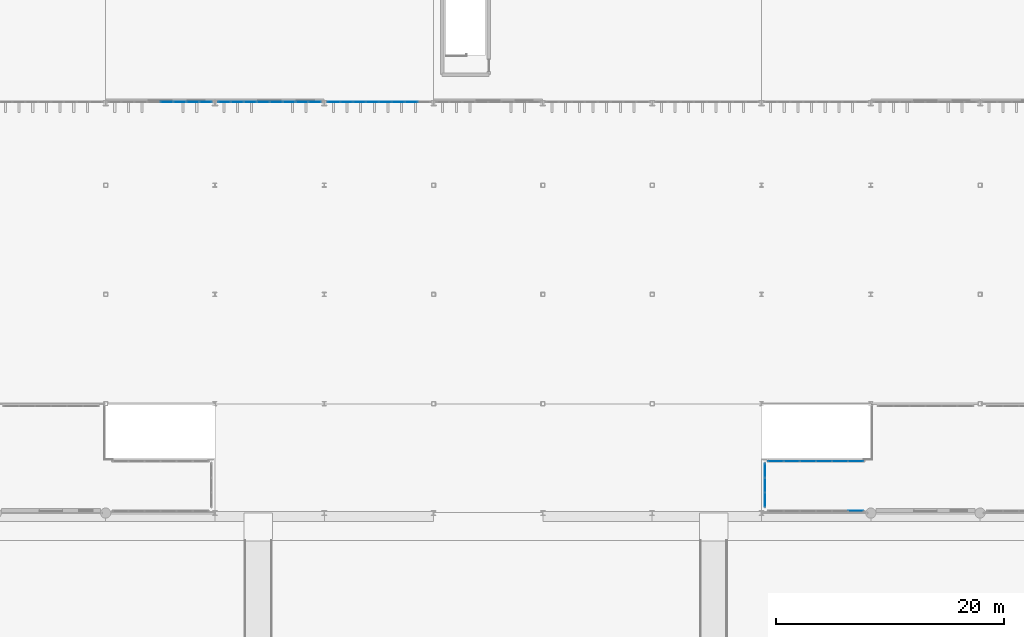
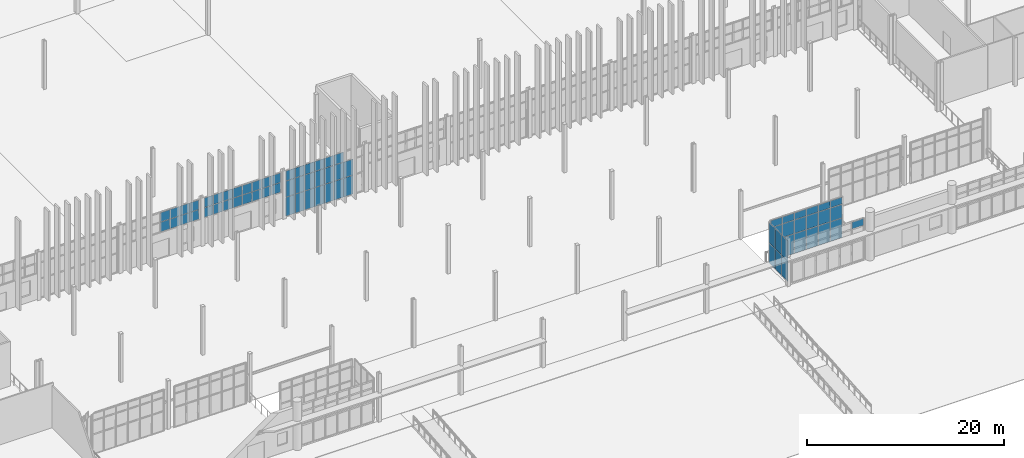
# One storey, part 72 of 139: 69 plates, 6 elements without a shape of their own.
"""IFC4 building model written with IfcOpenShell, lengths in metres."""

from ifc_helpers import new_model, si_unit, direction, frame, origin, origin_2d, place, context, subcontext, project, spatial, rectangle, extrude, material, layer, layer_set, type_object, element, aggregate, save


model = new_model("IFC4")

# Units and contexts
model_context = context("Model", 3, precision=1e-05, world=origin(), true_north=direction((0.0, 1.0)))
body_context = subcontext(model_context, "Body", "Model", "MODEL_VIEW")
ifc_project = project(units=[si_unit("LENGTHUNIT", "METRE"), si_unit("AREAUNIT", "SQUARE_METRE"), si_unit("VOLUMEUNIT", "CUBIC_METRE"), si_unit("PLANEANGLEUNIT", "RADIAN"), si_unit("MASSUNIT", "GRAM", prefix="KILO")], contexts=[model_context])

# Site, building, storey
site_placement = place(None, origin())
site = spatial("IfcSite", under=ifc_project, at=site_placement, CompositionType="ELEMENT")
building_placement = place(site_placement, origin())
building = spatial("IfcBuilding", under=site, at=building_placement, Name="Yeouljin Market Hall", CompositionType="ELEMENT")
storey_placement = place(building_placement, origin())
storey = spatial("IfcBuildingStorey", under=building, at=storey_placement, Name="L00", CompositionType="ELEMENT", Elevation=0.0)

# Curtain wall, plates
ifc_material_1 = material(Name="Thermally Broken Aluminium", Category="aluminium")
ifc_layer_1 = layer(ifc_material_1, 0.179931640625)
ifc_layer_set_1 = layer_set([ifc_layer_1], Name="Thermally Broken Aluminium")
curtain_wall_type_1 = type_object("IfcCurtainWallType", Name="CW_HallNave_System", PredefinedType="USERDEFINED", material=ifc_layer_set_1)
curtain_wall_1_placement = place(storey_placement, origin())
curtain_wall_1 = element("IfcCurtainWall", 1, at=curtain_wall_1_placement, inside=storey, type_object=curtain_wall_type_1, Name="Curtain wall CW-V1S-L00-03", ObjectType="CURTAIN WALL", PredefinedType="USERDEFINED")
ifc_material_2 = material(Name="Low-E Insulated Glass", Category="glass")
ifc_layer_2 = layer(ifc_material_2, 0.028076171875)
ifc_layer_set_2 = layer_set([ifc_layer_2], Name="Low-E Insulated Glass")
plate_type_1 = type_object("IfcPlateType", Name="CWPanel_LowE_28", PredefinedType="CURTAIN_PANEL", material=ifc_layer_set_2)
plate_1_placement = place(storey_placement, frame((63.369140625, 36.10009765625, 3.248046875), z_axis=(0.0, 0.0, 1.0), x_axis=(-1.0, 0.0, 0.0)))
plate_1 = element("IfcPlate", 2, at=plate_1_placement, type_object=plate_type_1, Name="CW-01 panel 1.1", PredefinedType="CURTAIN_PANEL", context=body_context, shape_type="SweptSolid", body=[
    extrude(rectangle(XDim=1.0654296875, YDim=0.028076171875, at=origin_2d()), origin(), (0.0, 0.0, 1.0), 1.177978515625),
])
plate_2_placement = place(storey_placement, frame((63.369140625, 36.10009765625, 4.47412109375), z_axis=(0.0, 0.0, 1.0), x_axis=(-1.0, 0.0, 0.0)))
plate_2 = element("IfcPlate", 3, at=plate_2_placement, type_object=plate_type_1, Name="CW-01 panel 1.2", PredefinedType="CURTAIN_PANEL", context=body_context, shape_type="SweptSolid", body=[
    extrude(rectangle(XDim=1.0654296875, YDim=0.028076171875, at=origin_2d()), origin(), (0.0, 0.0, 1.0), 1.157958984375),
])
plate_3_placement = place(storey_placement, frame((62.24365234375, 36.10009765625, 3.248046875), z_axis=(0.0, 0.0, 1.0), x_axis=(-1.0, 0.0, 0.0)))
plate_3 = element("IfcPlate", 4, at=plate_3_placement, type_object=plate_type_1, Name="CW-01 panel 2.1", PredefinedType="CURTAIN_PANEL", context=body_context, shape_type="SweptSolid", body=[
    extrude(rectangle(XDim=1.089599609375, YDim=0.028076171875, at=origin_2d()), origin(), (0.0, 0.0, 1.0), 1.177978515625),
])
plate_4_placement = place(storey_placement, frame((62.24365234375, 36.10009765625, 4.47412109375), z_axis=(0.0, 0.0, 1.0), x_axis=(-1.0, 0.0, 0.0)))
plate_4 = element("IfcPlate", 5, at=plate_4_placement, type_object=plate_type_1, Name="CW-01 panel 2.2", PredefinedType="CURTAIN_PANEL", context=body_context, shape_type="SweptSolid", body=[
    extrude(rectangle(XDim=1.089599609375, YDim=0.028076171875, at=origin_2d()), origin(), (0.0, 0.0, 1.0), 1.157958984375),
])
plate_5_placement = place(storey_placement, frame((61.106201171875, 36.10009765625, 3.248046875), z_axis=(0.0, 0.0, 1.0), x_axis=(-1.0, 0.0, 0.0)))
plate_5 = element("IfcPlate", 6, at=plate_5_placement, type_object=plate_type_1, Name="CW-01 panel 3.1", PredefinedType="CURTAIN_PANEL", context=body_context, shape_type="SweptSolid", body=[
    extrude(rectangle(XDim=1.089599609375, YDim=0.028076171875, at=origin_2d()), origin(), (0.0, 0.0, 1.0), 1.177978515625),
])
plate_6_placement = place(storey_placement, frame((61.106201171875, 36.10009765625, 4.47412109375), z_axis=(0.0, 0.0, 1.0), x_axis=(-1.0, 0.0, 0.0)))
plate_6 = element("IfcPlate", 7, at=plate_6_placement, type_object=plate_type_1, Name="CW-01 panel 3.2", PredefinedType="CURTAIN_PANEL", context=body_context, shape_type="SweptSolid", body=[
    extrude(rectangle(XDim=1.089599609375, YDim=0.028076171875, at=origin_2d()), origin(), (0.0, 0.0, 1.0), 1.157958984375),
])
plate_7_placement = place(storey_placement, frame((59.96875, 36.10009765625, 3.248046875), z_axis=(0.0, 0.0, 1.0), x_axis=(-1.0, 0.0, 0.0)))
plate_7 = element("IfcPlate", 8, at=plate_7_placement, type_object=plate_type_1, Name="CW-01 panel 4.1", PredefinedType="CURTAIN_PANEL", context=body_context, shape_type="SweptSolid", body=[
    extrude(rectangle(XDim=1.089599609375, YDim=0.028076171875, at=origin_2d()), origin(), (0.0, 0.0, 1.0), 1.177978515625),
])
plate_8_placement = place(storey_placement, frame((59.96875, 36.10009765625, 4.47412109375), z_axis=(0.0, 0.0, 1.0), x_axis=(-1.0, 0.0, 0.0)))
plate_8 = element("IfcPlate", 9, at=plate_8_placement, type_object=plate_type_1, Name="CW-01 panel 4.2", PredefinedType="CURTAIN_PANEL", context=body_context, shape_type="SweptSolid", body=[
    extrude(rectangle(XDim=1.089599609375, YDim=0.028076171875, at=origin_2d()), origin(), (0.0, 0.0, 1.0), 1.157958984375),
])
aggregate(curtain_wall_1, [plate_1, plate_2, plate_3, plate_4, plate_5, plate_6, plate_7, plate_8])

curtain_wall_2_placement = place(storey_placement, origin())
curtain_wall_2 = element("IfcCurtainWall", 10, at=curtain_wall_2_placement, inside=storey, type_object=curtain_wall_type_1, Name="Curtain wall CW-V1S-L00-04", ObjectType="CURTAIN WALL", PredefinedType="USERDEFINED")
plate_9_placement = place(storey_placement, frame((72.96923828125, 36.10009765625, 3.248046875), z_axis=(0.0, 0.0, 1.0), x_axis=(-1.0, 0.0, 0.0)))
plate_9 = element("IfcPlate", 11, at=plate_9_placement, type_object=plate_type_1, Name="CW-01 panel 1.1", PredefinedType="CURTAIN_PANEL", context=body_context, shape_type="SweptSolid", body=[
    extrude(rectangle(XDim=1.0654296875, YDim=0.028076171875, at=origin_2d()), origin(), (0.0, 0.0, 1.0), 1.177978515625),
])
plate_10_placement = place(storey_placement, frame((72.96923828125, 36.10009765625, 4.47412109375), z_axis=(0.0, 0.0, 1.0), x_axis=(-1.0, 0.0, 0.0)))
plate_10 = element("IfcPlate", 12, at=plate_10_placement, type_object=plate_type_1, Name="CW-01 panel 1.2", PredefinedType="CURTAIN_PANEL", context=body_context, shape_type="SweptSolid", body=[
    extrude(rectangle(XDim=1.0654296875, YDim=0.028076171875, at=origin_2d()), origin(), (0.0, 0.0, 1.0), 1.157958984375),
])
plate_11_placement = place(storey_placement, frame((71.84375, 36.10009765625, 3.248046875), z_axis=(0.0, 0.0, 1.0), x_axis=(-1.0, 0.0, 0.0)))
plate_11 = element("IfcPlate", 13, at=plate_11_placement, type_object=plate_type_1, Name="CW-01 panel 2.1", PredefinedType="CURTAIN_PANEL", context=body_context, shape_type="SweptSolid", body=[
    extrude(rectangle(XDim=1.089599609375, YDim=0.028076171875, at=origin_2d()), origin(), (0.0, 0.0, 1.0), 1.177978515625),
])
plate_12_placement = place(storey_placement, frame((71.84375, 36.10009765625, 4.47412109375), z_axis=(0.0, 0.0, 1.0), x_axis=(-1.0, 0.0, 0.0)))
plate_12 = element("IfcPlate", 14, at=plate_12_placement, type_object=plate_type_1, Name="CW-01 panel 2.2", PredefinedType="CURTAIN_PANEL", context=body_context, shape_type="SweptSolid", body=[
    extrude(rectangle(XDim=1.089599609375, YDim=0.028076171875, at=origin_2d()), origin(), (0.0, 0.0, 1.0), 1.157958984375),
])
plate_13_placement = place(storey_placement, frame((70.706298828125, 36.10009765625, 3.248046875), z_axis=(0.0, 0.0, 1.0), x_axis=(-1.0, 0.0, 0.0)))
plate_13 = element("IfcPlate", 15, at=plate_13_placement, type_object=plate_type_1, Name="CW-01 panel 3.1", PredefinedType="CURTAIN_PANEL", context=body_context, shape_type="SweptSolid", body=[
    extrude(rectangle(XDim=1.089599609375, YDim=0.028076171875, at=origin_2d()), origin(), (0.0, 0.0, 1.0), 1.177978515625),
])
plate_14_placement = place(storey_placement, frame((70.706298828125, 36.10009765625, 4.47412109375), z_axis=(0.0, 0.0, 1.0), x_axis=(-1.0, 0.0, 0.0)))
plate_14 = element("IfcPlate", 16, at=plate_14_placement, type_object=plate_type_1, Name="CW-01 panel 3.2", PredefinedType="CURTAIN_PANEL", context=body_context, shape_type="SweptSolid", body=[
    extrude(rectangle(XDim=1.089599609375, YDim=0.028076171875, at=origin_2d()), origin(), (0.0, 0.0, 1.0), 1.157958984375),
])
plate_15_placement = place(storey_placement, frame((69.56884765625, 36.10009765625, 3.248046875), z_axis=(0.0, 0.0, 1.0), x_axis=(-1.0, 0.0, 0.0)))
plate_15 = element("IfcPlate", 17, at=plate_15_placement, type_object=plate_type_1, Name="CW-01 panel 4.1", PredefinedType="CURTAIN_PANEL", context=body_context, shape_type="SweptSolid", body=[
    extrude(rectangle(XDim=1.089599609375, YDim=0.028076171875, at=origin_2d()), origin(), (0.0, 0.0, 1.0), 1.177978515625),
])
plate_16_placement = place(storey_placement, frame((69.56884765625, 36.10009765625, 4.47412109375), z_axis=(0.0, 0.0, 1.0), x_axis=(-1.0, 0.0, 0.0)))
plate_16 = element("IfcPlate", 18, at=plate_16_placement, type_object=plate_type_1, Name="CW-01 panel 4.2", PredefinedType="CURTAIN_PANEL", context=body_context, shape_type="SweptSolid", body=[
    extrude(rectangle(XDim=1.089599609375, YDim=0.028076171875, at=origin_2d()), origin(), (0.0, 0.0, 1.0), 1.157958984375),
])
plate_17_placement = place(storey_placement, frame((68.43115234375, 36.10009765625, 3.248046875), z_axis=(0.0, 0.0, 1.0), x_axis=(-1.0, 0.0, 0.0)))
plate_17 = element("IfcPlate", 19, at=plate_17_placement, type_object=plate_type_1, Name="CW-01 panel 5.1", PredefinedType="CURTAIN_PANEL", context=body_context, shape_type="SweptSolid", body=[
    extrude(rectangle(XDim=1.089599609375, YDim=0.028076171875, at=origin_2d()), origin(), (0.0, 0.0, 1.0), 1.177978515625),
])
plate_18_placement = place(storey_placement, frame((68.43115234375, 36.10009765625, 4.47412109375), z_axis=(0.0, 0.0, 1.0), x_axis=(-1.0, 0.0, 0.0)))
plate_18 = element("IfcPlate", 20, at=plate_18_placement, type_object=plate_type_1, Name="CW-01 panel 5.2", PredefinedType="CURTAIN_PANEL", context=body_context, shape_type="SweptSolid", body=[
    extrude(rectangle(XDim=1.089599609375, YDim=0.028076171875, at=origin_2d()), origin(), (0.0, 0.0, 1.0), 1.157958984375),
])
plate_19_placement = place(storey_placement, frame((67.293701171875, 36.10009765625, 3.248046875), z_axis=(0.0, 0.0, 1.0), x_axis=(-1.0, 0.0, 0.0)))
plate_19 = element("IfcPlate", 21, at=plate_19_placement, type_object=plate_type_1, Name="CW-01 panel 6.1", PredefinedType="CURTAIN_PANEL", context=body_context, shape_type="SweptSolid", body=[
    extrude(rectangle(XDim=1.089599609375, YDim=0.028076171875, at=origin_2d()), origin(), (0.0, 0.0, 1.0), 1.177978515625),
])
plate_20_placement = place(storey_placement, frame((67.293701171875, 36.10009765625, 4.47412109375), z_axis=(0.0, 0.0, 1.0), x_axis=(-1.0, 0.0, 0.0)))
plate_20 = element("IfcPlate", 22, at=plate_20_placement, type_object=plate_type_1, Name="CW-01 panel 6.2", PredefinedType="CURTAIN_PANEL", context=body_context, shape_type="SweptSolid", body=[
    extrude(rectangle(XDim=1.089599609375, YDim=0.028076171875, at=origin_2d()), origin(), (0.0, 0.0, 1.0), 1.157958984375),
])
plate_21_placement = place(storey_placement, frame((66.15625, 36.10009765625, 3.248046875), z_axis=(0.0, 0.0, 1.0), x_axis=(-1.0, 0.0, 0.0)))
plate_21 = element("IfcPlate", 23, at=plate_21_placement, type_object=plate_type_1, Name="CW-01 panel 7.1", PredefinedType="CURTAIN_PANEL", context=body_context, shape_type="SweptSolid", body=[
    extrude(rectangle(XDim=1.089599609375, YDim=0.028076171875, at=origin_2d()), origin(), (0.0, 0.0, 1.0), 1.177978515625),
])
plate_22_placement = place(storey_placement, frame((66.15625, 36.10009765625, 4.47412109375), z_axis=(0.0, 0.0, 1.0), x_axis=(-1.0, 0.0, 0.0)))
plate_22 = element("IfcPlate", 24, at=plate_22_placement, type_object=plate_type_1, Name="CW-01 panel 7.2", PredefinedType="CURTAIN_PANEL", context=body_context, shape_type="SweptSolid", body=[
    extrude(rectangle(XDim=1.089599609375, YDim=0.028076171875, at=origin_2d()), origin(), (0.0, 0.0, 1.0), 1.157958984375),
])
plate_23_placement = place(storey_placement, frame((65.03076171875, 36.10009765625, 3.248046875), z_axis=(0.0, 0.0, 1.0), x_axis=(-1.0, 0.0, 0.0)))
plate_23 = element("IfcPlate", 25, at=plate_23_placement, type_object=plate_type_1, Name="CW-01 panel 8.1", PredefinedType="CURTAIN_PANEL", context=body_context, shape_type="SweptSolid", body=[
    extrude(rectangle(XDim=1.0654296875, YDim=0.028076171875, at=origin_2d()), origin(), (0.0, 0.0, 1.0), 1.177978515625),
])
plate_24_placement = place(storey_placement, frame((65.03076171875, 36.10009765625, 4.47412109375), z_axis=(0.0, 0.0, 1.0), x_axis=(-1.0, 0.0, 0.0)))
plate_24 = element("IfcPlate", 26, at=plate_24_placement, type_object=plate_type_1, Name="CW-01 panel 8.2", PredefinedType="CURTAIN_PANEL", context=body_context, shape_type="SweptSolid", body=[
    extrude(rectangle(XDim=1.0654296875, YDim=0.028076171875, at=origin_2d()), origin(), (0.0, 0.0, 1.0), 1.157958984375),
])
aggregate(curtain_wall_2, [plate_9, plate_10, plate_11, plate_12, plate_13, plate_14, plate_15, plate_16, plate_17, plate_18, plate_19, plate_20, plate_21, plate_22, plate_23, plate_24])

# Curtain wall, plate
ifc_material_3 = material(Name="Thermally Broken Aluminium", Category="aluminium")
ifc_layer_3 = layer(ifc_material_3, 0.14990234375)
ifc_layer_set_3 = layer_set([ifc_layer_3], Name="Thermally Broken Aluminium")
curtain_wall_type_2 = type_object("IfcCurtainWallType", Name="CW_ColonnadeScreen_System", PredefinedType="USERDEFINED", material=ifc_layer_set_3)
curtain_wall_3_placement = place(storey_placement, origin())
curtain_wall_3 = element("IfcCurtainWall", 27, at=curtain_wall_3_placement, inside=storey, type_object=curtain_wall_type_2, Name="Curtain wall CW-V5S-L00-4", ObjectType="CURTAIN WALL", PredefinedType="USERDEFINED")
plate_25_placement = place(storey_placement, frame((120.48388671875, 0.199951171875, 4.22412109375), z_axis=(0.0, 0.0, 1.0), x_axis=(-1.0, 0.0, 0.0)))
plate_25 = element("IfcPlate", 28, at=plate_25_placement, type_object=plate_type_1, Name="CW-06 panel 1.3", PredefinedType="CURTAIN_PANEL", context=body_context, shape_type="SweptSolid", body=[
    extrude(rectangle(XDim=1.33642578125, YDim=0.028076171875, at=origin_2d()), origin(), (0.0, 0.0, 1.0), 0.847900390625),
])
aggregate(curtain_wall_3, [plate_25])

# Curtain wall, plates
curtain_wall_4_placement = place(storey_placement, origin())
curtain_wall_4 = element("IfcCurtainWall", 29, at=curtain_wall_4_placement, inside=storey, type_object=curtain_wall_type_2, Name="Curtain wall CW-V5N-L00-4", ObjectType="CURTAIN WALL", PredefinedType="USERDEFINED")
plate_26_placement = place(storey_placement, frame((113.466064453125, 4.550048828125, 0.0478515625), z_axis=(0.0, 0.0, 1.0), x_axis=(1.0, 0.0, 0.0)))
plate_26 = element("IfcPlate", 30, at=plate_26_placement, type_object=plate_type_1, Name="CW-06 panel 1.1", PredefinedType="CURTAIN_PANEL", context=body_context, shape_type="SweptSolid", body=[
    extrude(rectangle(XDim=1.33642578125, YDim=0.028076171875, at=origin_2d()), origin(), (0.0, 0.0, 1.0), 2.427978515625),
])
plate_27_placement = place(storey_placement, frame((113.466064453125, 4.550048828125, 2.52392578125), z_axis=(0.0, 0.0, 1.0), x_axis=(1.0, 0.0, 0.0)))
plate_27 = element("IfcPlate", 31, at=plate_27_placement, type_object=plate_type_1, Name="CW-06 panel 1.2", PredefinedType="CURTAIN_PANEL", context=body_context, shape_type="SweptSolid", body=[
    extrude(rectangle(XDim=1.33642578125, YDim=0.028076171875, at=origin_2d()), origin(), (0.0, 0.0, 1.0), 1.652099609375),
])
plate_28_placement = place(storey_placement, frame((113.466064453125, 4.550048828125, 4.22412109375), z_axis=(0.0, 0.0, 1.0), x_axis=(1.0, 0.0, 0.0)))
plate_28 = element("IfcPlate", 32, at=plate_28_placement, type_object=plate_type_1, Name="CW-06 panel 1.3", PredefinedType="CURTAIN_PANEL", context=body_context, shape_type="SweptSolid", body=[
    extrude(rectangle(XDim=1.33642578125, YDim=0.028076171875, at=origin_2d()), origin(), (0.0, 0.0, 1.0), 0.847900390625),
])
plate_29_placement = place(storey_placement, frame((114.862548828125, 4.550048828125, 0.0478515625), z_axis=(0.0, 0.0, 1.0), x_axis=(1.0, 0.0, 0.0)))
plate_29 = element("IfcPlate", 33, at=plate_29_placement, type_object=plate_type_1, Name="CW-06 panel 2.1", PredefinedType="CURTAIN_PANEL", context=body_context, shape_type="SweptSolid", body=[
    extrude(rectangle(XDim=1.3603515625, YDim=0.028076171875, at=origin_2d()), origin(), (0.0, 0.0, 1.0), 2.427978515625),
])
plate_30_placement = place(storey_placement, frame((114.862548828125, 4.550048828125, 2.52392578125), z_axis=(0.0, 0.0, 1.0), x_axis=(1.0, 0.0, 0.0)))
plate_30 = element("IfcPlate", 34, at=plate_30_placement, type_object=plate_type_1, Name="CW-06 panel 2.2", PredefinedType="CURTAIN_PANEL", context=body_context, shape_type="SweptSolid", body=[
    extrude(rectangle(XDim=1.3603515625, YDim=0.028076171875, at=origin_2d()), origin(), (0.0, 0.0, 1.0), 1.652099609375),
])
plate_31_placement = place(storey_placement, frame((114.862548828125, 4.550048828125, 4.22412109375), z_axis=(0.0, 0.0, 1.0), x_axis=(1.0, 0.0, 0.0)))
plate_31 = element("IfcPlate", 35, at=plate_31_placement, type_object=plate_type_1, Name="CW-06 panel 2.3", PredefinedType="CURTAIN_PANEL", context=body_context, shape_type="SweptSolid", body=[
    extrude(rectangle(XDim=1.3603515625, YDim=0.028076171875, at=origin_2d()), origin(), (0.0, 0.0, 1.0), 0.847900390625),
])
plate_32_placement = place(storey_placement, frame((116.270751953125, 4.550048828125, 0.0478515625), z_axis=(0.0, 0.0, 1.0), x_axis=(1.0, 0.0, 0.0)))
plate_32 = element("IfcPlate", 36, at=plate_32_placement, type_object=plate_type_1, Name="CW-06 panel 3.1", PredefinedType="CURTAIN_PANEL", context=body_context, shape_type="SweptSolid", body=[
    extrude(rectangle(XDim=1.3603515625, YDim=0.028076171875, at=origin_2d()), origin(), (0.0, 0.0, 1.0), 2.427978515625),
])
plate_33_placement = place(storey_placement, frame((116.270751953125, 4.550048828125, 2.52392578125), z_axis=(0.0, 0.0, 1.0), x_axis=(1.0, 0.0, 0.0)))
plate_33 = element("IfcPlate", 37, at=plate_33_placement, type_object=plate_type_1, Name="CW-06 panel 3.2", PredefinedType="CURTAIN_PANEL", context=body_context, shape_type="SweptSolid", body=[
    extrude(rectangle(XDim=1.3603515625, YDim=0.028076171875, at=origin_2d()), origin(), (0.0, 0.0, 1.0), 1.652099609375),
])
plate_34_placement = place(storey_placement, frame((116.270751953125, 4.550048828125, 4.22412109375), z_axis=(0.0, 0.0, 1.0), x_axis=(1.0, 0.0, 0.0)))
plate_34 = element("IfcPlate", 38, at=plate_34_placement, type_object=plate_type_1, Name="CW-06 panel 3.3", PredefinedType="CURTAIN_PANEL", context=body_context, shape_type="SweptSolid", body=[
    extrude(rectangle(XDim=1.3603515625, YDim=0.028076171875, at=origin_2d()), origin(), (0.0, 0.0, 1.0), 0.847900390625),
])
plate_35_placement = place(storey_placement, frame((117.67919921875, 4.550048828125, 0.0478515625), z_axis=(0.0, 0.0, 1.0), x_axis=(1.0, 0.0, 0.0)))
plate_35 = element("IfcPlate", 39, at=plate_35_placement, type_object=plate_type_1, Name="CW-06 panel 4.1", PredefinedType="CURTAIN_PANEL", context=body_context, shape_type="SweptSolid", body=[
    extrude(rectangle(XDim=1.3603515625, YDim=0.028076171875, at=origin_2d()), origin(), (0.0, 0.0, 1.0), 2.427978515625),
])
plate_36_placement = place(storey_placement, frame((117.67919921875, 4.550048828125, 2.52392578125), z_axis=(0.0, 0.0, 1.0), x_axis=(1.0, 0.0, 0.0)))
plate_36 = element("IfcPlate", 40, at=plate_36_placement, type_object=plate_type_1, Name="CW-06 panel 4.2", PredefinedType="CURTAIN_PANEL", context=body_context, shape_type="SweptSolid", body=[
    extrude(rectangle(XDim=1.3603515625, YDim=0.028076171875, at=origin_2d()), origin(), (0.0, 0.0, 1.0), 1.652099609375),
])
plate_37_placement = place(storey_placement, frame((117.67919921875, 4.550048828125, 4.22412109375), z_axis=(0.0, 0.0, 1.0), x_axis=(1.0, 0.0, 0.0)))
plate_37 = element("IfcPlate", 41, at=plate_37_placement, type_object=plate_type_1, Name="CW-06 panel 4.3", PredefinedType="CURTAIN_PANEL", context=body_context, shape_type="SweptSolid", body=[
    extrude(rectangle(XDim=1.3603515625, YDim=0.028076171875, at=origin_2d()), origin(), (0.0, 0.0, 1.0), 0.847900390625),
])
plate_38_placement = place(storey_placement, frame((119.08740234375, 4.550048828125, 0.0478515625), z_axis=(0.0, 0.0, 1.0), x_axis=(1.0, 0.0, 0.0)))
plate_38 = element("IfcPlate", 42, at=plate_38_placement, type_object=plate_type_1, Name="CW-06 panel 5.1", PredefinedType="CURTAIN_PANEL", context=body_context, shape_type="SweptSolid", body=[
    extrude(rectangle(XDim=1.3603515625, YDim=0.028076171875, at=origin_2d()), origin(), (0.0, 0.0, 1.0), 2.427978515625),
])
plate_39_placement = place(storey_placement, frame((119.08740234375, 4.550048828125, 2.52392578125), z_axis=(0.0, 0.0, 1.0), x_axis=(1.0, 0.0, 0.0)))
plate_39 = element("IfcPlate", 43, at=plate_39_placement, type_object=plate_type_1, Name="CW-06 panel 5.2", PredefinedType="CURTAIN_PANEL", context=body_context, shape_type="SweptSolid", body=[
    extrude(rectangle(XDim=1.3603515625, YDim=0.028076171875, at=origin_2d()), origin(), (0.0, 0.0, 1.0), 1.652099609375),
])
plate_40_placement = place(storey_placement, frame((119.08740234375, 4.550048828125, 4.22412109375), z_axis=(0.0, 0.0, 1.0), x_axis=(1.0, 0.0, 0.0)))
plate_40 = element("IfcPlate", 44, at=plate_40_placement, type_object=plate_type_1, Name="CW-06 panel 5.3", PredefinedType="CURTAIN_PANEL", context=body_context, shape_type="SweptSolid", body=[
    extrude(rectangle(XDim=1.3603515625, YDim=0.028076171875, at=origin_2d()), origin(), (0.0, 0.0, 1.0), 0.847900390625),
])
plate_41_placement = place(storey_placement, frame((120.48388671875, 4.550048828125, 0.0478515625), z_axis=(0.0, 0.0, 1.0), x_axis=(1.0, 0.0, 0.0)))
plate_41 = element("IfcPlate", 45, at=plate_41_placement, type_object=plate_type_1, Name="CW-06 panel 6.1", PredefinedType="CURTAIN_PANEL", context=body_context, shape_type="SweptSolid", body=[
    extrude(rectangle(XDim=1.33642578125, YDim=0.028076171875, at=origin_2d()), origin(), (0.0, 0.0, 1.0), 2.427978515625),
])
plate_42_placement = place(storey_placement, frame((120.48388671875, 4.550048828125, 2.52392578125), z_axis=(0.0, 0.0, 1.0), x_axis=(1.0, 0.0, 0.0)))
plate_42 = element("IfcPlate", 46, at=plate_42_placement, type_object=plate_type_1, Name="CW-06 panel 6.2", PredefinedType="CURTAIN_PANEL", context=body_context, shape_type="SweptSolid", body=[
    extrude(rectangle(XDim=1.33642578125, YDim=0.028076171875, at=origin_2d()), origin(), (0.0, 0.0, 1.0), 1.652099609375),
])
plate_43_placement = place(storey_placement, frame((120.48388671875, 4.550048828125, 4.22412109375), z_axis=(0.0, 0.0, 1.0), x_axis=(1.0, 0.0, 0.0)))
plate_43 = element("IfcPlate", 47, at=plate_43_placement, type_object=plate_type_1, Name="CW-06 panel 6.3", PredefinedType="CURTAIN_PANEL", context=body_context, shape_type="SweptSolid", body=[
    extrude(rectangle(XDim=1.33642578125, YDim=0.028076171875, at=origin_2d()), origin(), (0.0, 0.0, 1.0), 0.847900390625),
])
aggregate(curtain_wall_4, [plate_26, plate_27, plate_28, plate_29, plate_30, plate_31, plate_32, plate_33, plate_34, plate_35, plate_36, plate_37, plate_38, plate_39, plate_40, plate_41, plate_42, plate_43])

ifc_material_4 = material(Name="Thermally Broken Aluminium", Category="aluminium")
ifc_layer_4 = layer(ifc_material_4, 0.14990234375)
ifc_layer_set_4 = layer_set([ifc_layer_4], Name="Thermally Broken Aluminium")
curtain_wall_type_3 = type_object("IfcCurtainWallType", Name="CW_WingStorefront_System", PredefinedType="USERDEFINED", material=ifc_layer_set_4)
curtain_wall_5_placement = place(storey_placement, origin())
curtain_wall_5 = element("IfcCurtainWall", 48, at=curtain_wall_5_placement, inside=storey, type_object=curtain_wall_type_3, Name="Curtain wall CW-CRT-L00-28", ObjectType="CURTAIN WALL", PredefinedType="USERDEFINED")
plate_44_placement = place(storey_placement, frame((112.5, 1.162109375, 0.0478515625), z_axis=(0.0, 0.0, 1.0), x_axis=(0.0, 1.0, 0.0)))
plate_44 = element("IfcPlate", 49, at=plate_44_placement, type_object=plate_type_1, Name="CW-04 panel 1.1", PredefinedType="CURTAIN_PANEL", context=body_context, shape_type="SweptSolid", body=[
    extrude(rectangle(XDim=1.22802734375, YDim=0.028076171875, at=origin_2d()), origin(), (0.0, 0.0, 1.0), 2.488037109375),
])
plate_45_placement = place(storey_placement, frame((112.5, 1.162109375, 2.583984375), z_axis=(0.0, 0.0, 1.0), x_axis=(0.0, 1.0, 0.0)))
plate_45 = element("IfcPlate", 50, at=plate_45_placement, type_object=plate_type_1, Name="CW-04 panel 1.2", PredefinedType="CURTAIN_PANEL", context=body_context, shape_type="SweptSolid", body=[
    extrude(rectangle(XDim=1.22802734375, YDim=0.028076171875, at=origin_2d()), origin(), (0.0, 0.0, 1.0), 2.488037109375),
])
plate_46_placement = place(storey_placement, frame((112.5, 2.449951171875, 0.0478515625), z_axis=(0.0, 0.0, 1.0), x_axis=(0.0, 1.0, 0.0)))
plate_46 = element("IfcPlate", 51, at=plate_46_placement, type_object=plate_type_1, Name="CW-04 panel 2.1", PredefinedType="CURTAIN_PANEL", context=body_context, shape_type="SweptSolid", body=[
    extrude(rectangle(XDim=1.251953125, YDim=0.028076171875, at=origin_2d()), origin(), (0.0, 0.0, 1.0), 2.488037109375),
])
plate_47_placement = place(storey_placement, frame((112.5, 2.449951171875, 2.583984375), z_axis=(0.0, 0.0, 1.0), x_axis=(0.0, 1.0, 0.0)))
plate_47 = element("IfcPlate", 52, at=plate_47_placement, type_object=plate_type_1, Name="CW-04 panel 2.2", PredefinedType="CURTAIN_PANEL", context=body_context, shape_type="SweptSolid", body=[
    extrude(rectangle(XDim=1.251953125, YDim=0.028076171875, at=origin_2d()), origin(), (0.0, 0.0, 1.0), 2.488037109375),
])
plate_48_placement = place(storey_placement, frame((112.5, 3.738037109375, 0.0478515625), z_axis=(0.0, 0.0, 1.0), x_axis=(0.0, 1.0, 0.0)))
plate_48 = element("IfcPlate", 53, at=plate_48_placement, type_object=plate_type_1, Name="CW-04 panel 3.1", PredefinedType="CURTAIN_PANEL", context=body_context, shape_type="SweptSolid", body=[
    extrude(rectangle(XDim=1.22802734375, YDim=0.028076171875, at=origin_2d()), origin(), (0.0, 0.0, 1.0), 2.488037109375),
])
plate_49_placement = place(storey_placement, frame((112.5, 3.738037109375, 2.583984375), z_axis=(0.0, 0.0, 1.0), x_axis=(0.0, 1.0, 0.0)))
plate_49 = element("IfcPlate", 54, at=plate_49_placement, type_object=plate_type_1, Name="CW-04 panel 3.2", PredefinedType="CURTAIN_PANEL", context=body_context, shape_type="SweptSolid", body=[
    extrude(rectangle(XDim=1.22802734375, YDim=0.028076171875, at=origin_2d()), origin(), (0.0, 0.0, 1.0), 2.488037109375),
])
aggregate(curtain_wall_5, [plate_44, plate_45, plate_46, plate_47, plate_48, plate_49])

curtain_wall_6_placement = place(storey_placement, origin())
curtain_wall_6 = element("IfcCurtainWall", 55, at=curtain_wall_6_placement, inside=storey, type_object=curtain_wall_type_1, Name="Curtain wall CW-V1S-L00-05", ObjectType="CURTAIN WALL", PredefinedType="USERDEFINED")
ifc_material_5 = material(Name="Low-E Insulated Glass", Category="glass")
ifc_layer_5 = layer(ifc_material_5, 0.035888671875)
ifc_layer_set_5 = layer_set([ifc_layer_5], Name="Low-E Insulated Glass")
plate_type_2 = type_object("IfcPlateType", Name="CWPanel_TripleLowE_36", PredefinedType="CURTAIN_PANEL", material=ifc_layer_set_5)
plate_50_placement = place(storey_placement, frame((81.44384765625, 36.10009765625, 0.0478515625), z_axis=(0.0, 0.0, 1.0), x_axis=(-1.0, 0.0, 0.0)))
plate_50 = element("IfcPlate", 56, at=plate_50_placement, type_object=plate_type_2, Name="CW-01 panel 2.1", PredefinedType="CURTAIN_PANEL", context=body_context, shape_type="SweptSolid", body=[
    extrude(rectangle(XDim=1.089599609375, YDim=0.035888671875, at=origin_2d()), origin(), (0.0, 0.0, 1.0), 2.327880859375),
])
plate_51_placement = place(storey_placement, frame((81.44384765625, 36.10009765625, 2.423828125), z_axis=(0.0, 0.0, 1.0), x_axis=(-1.0, 0.0, 0.0)))
plate_51 = element("IfcPlate", 57, at=plate_51_placement, type_object=plate_type_2, Name="CW-01 panel 2.2", PredefinedType="CURTAIN_PANEL", context=body_context, shape_type="SweptSolid", body=[
    extrude(rectangle(XDim=1.089599609375, YDim=0.035888671875, at=origin_2d()), origin(), (0.0, 0.0, 1.0), 1.951904296875),
])
plate_52_placement = place(storey_placement, frame((80.30615234375, 36.10009765625, 0.0478515625), z_axis=(0.0, 0.0, 1.0), x_axis=(-1.0, 0.0, 0.0)))
plate_52 = element("IfcPlate", 58, at=plate_52_placement, type_object=plate_type_2, Name="CW-01 panel 3.1", PredefinedType="CURTAIN_PANEL", context=body_context, shape_type="SweptSolid", body=[
    extrude(rectangle(XDim=1.089599609375, YDim=0.035888671875, at=origin_2d()), origin(), (0.0, 0.0, 1.0), 2.327880859375),
])
plate_53_placement = place(storey_placement, frame((80.30615234375, 36.10009765625, 2.423828125), z_axis=(0.0, 0.0, 1.0), x_axis=(-1.0, 0.0, 0.0)))
plate_53 = element("IfcPlate", 59, at=plate_53_placement, type_object=plate_type_2, Name="CW-01 panel 3.2", PredefinedType="CURTAIN_PANEL", context=body_context, shape_type="SweptSolid", body=[
    extrude(rectangle(XDim=1.089599609375, YDim=0.035888671875, at=origin_2d()), origin(), (0.0, 0.0, 1.0), 1.951904296875),
])
plate_54_placement = place(storey_placement, frame((80.30615234375, 36.10009765625, 4.424072265625), z_axis=(0.0, 0.0, 1.0), x_axis=(-1.0, 0.0, 0.0)))
plate_54 = element("IfcPlate", 60, at=plate_54_placement, type_object=plate_type_2, Name="CW-01 panel 3.3", PredefinedType="CURTAIN_PANEL", context=body_context, shape_type="SweptSolid", body=[
    extrude(rectangle(XDim=1.089599609375, YDim=0.035888671875, at=origin_2d()), origin(), (0.0, 0.0, 1.0), 1.2080078125),
])
plate_55_placement = place(storey_placement, frame((79.168701171875, 36.10009765625, 0.0478515625), z_axis=(0.0, 0.0, 1.0), x_axis=(-1.0, 0.0, 0.0)))
plate_55 = element("IfcPlate", 61, at=plate_55_placement, type_object=plate_type_2, Name="CW-01 panel 4.1", PredefinedType="CURTAIN_PANEL", context=body_context, shape_type="SweptSolid", body=[
    extrude(rectangle(XDim=1.089599609375, YDim=0.035888671875, at=origin_2d()), origin(), (0.0, 0.0, 1.0), 2.327880859375),
])
plate_56_placement = place(storey_placement, frame((79.168701171875, 36.10009765625, 2.423828125), z_axis=(0.0, 0.0, 1.0), x_axis=(-1.0, 0.0, 0.0)))
plate_56 = element("IfcPlate", 62, at=plate_56_placement, type_object=plate_type_2, Name="CW-01 panel 4.2", PredefinedType="CURTAIN_PANEL", context=body_context, shape_type="SweptSolid", body=[
    extrude(rectangle(XDim=1.089599609375, YDim=0.035888671875, at=origin_2d()), origin(), (0.0, 0.0, 1.0), 1.951904296875),
])
plate_57_placement = place(storey_placement, frame((79.168701171875, 36.10009765625, 4.424072265625), z_axis=(0.0, 0.0, 1.0), x_axis=(-1.0, 0.0, 0.0)))
plate_57 = element("IfcPlate", 63, at=plate_57_placement, type_object=plate_type_2, Name="CW-01 panel 4.3", PredefinedType="CURTAIN_PANEL", context=body_context, shape_type="SweptSolid", body=[
    extrude(rectangle(XDim=1.089599609375, YDim=0.035888671875, at=origin_2d()), origin(), (0.0, 0.0, 1.0), 1.2080078125),
])
plate_58_placement = place(storey_placement, frame((78.03125, 36.10009765625, 0.0478515625), z_axis=(0.0, 0.0, 1.0), x_axis=(-1.0, 0.0, 0.0)))
plate_58 = element("IfcPlate", 64, at=plate_58_placement, type_object=plate_type_2, Name="CW-01 panel 5.1", PredefinedType="CURTAIN_PANEL", context=body_context, shape_type="SweptSolid", body=[
    extrude(rectangle(XDim=1.089599609375, YDim=0.035888671875, at=origin_2d()), origin(), (0.0, 0.0, 1.0), 2.327880859375),
])
plate_59_placement = place(storey_placement, frame((78.03125, 36.10009765625, 2.423828125), z_axis=(0.0, 0.0, 1.0), x_axis=(-1.0, 0.0, 0.0)))
plate_59 = element("IfcPlate", 65, at=plate_59_placement, type_object=plate_type_2, Name="CW-01 panel 5.2", PredefinedType="CURTAIN_PANEL", context=body_context, shape_type="SweptSolid", body=[
    extrude(rectangle(XDim=1.089599609375, YDim=0.035888671875, at=origin_2d()), origin(), (0.0, 0.0, 1.0), 1.951904296875),
])
plate_60_placement = place(storey_placement, frame((78.03125, 36.10009765625, 4.424072265625), z_axis=(0.0, 0.0, 1.0), x_axis=(-1.0, 0.0, 0.0)))
plate_60 = element("IfcPlate", 66, at=plate_60_placement, type_object=plate_type_2, Name="CW-01 panel 5.3", PredefinedType="CURTAIN_PANEL", context=body_context, shape_type="SweptSolid", body=[
    extrude(rectangle(XDim=1.089599609375, YDim=0.035888671875, at=origin_2d()), origin(), (0.0, 0.0, 1.0), 1.2080078125),
])
plate_61_placement = place(storey_placement, frame((76.893798828125, 36.10009765625, 0.0478515625), z_axis=(0.0, 0.0, 1.0), x_axis=(-1.0, 0.0, 0.0)))
plate_61 = element("IfcPlate", 67, at=plate_61_placement, type_object=plate_type_2, Name="CW-01 panel 6.1", PredefinedType="CURTAIN_PANEL", context=body_context, shape_type="SweptSolid", body=[
    extrude(rectangle(XDim=1.089599609375, YDim=0.035888671875, at=origin_2d()), origin(), (0.0, 0.0, 1.0), 2.327880859375),
])
plate_62_placement = place(storey_placement, frame((76.893798828125, 36.10009765625, 2.423828125), z_axis=(0.0, 0.0, 1.0), x_axis=(-1.0, 0.0, 0.0)))
plate_62 = element("IfcPlate", 68, at=plate_62_placement, type_object=plate_type_2, Name="CW-01 panel 6.2", PredefinedType="CURTAIN_PANEL", context=body_context, shape_type="SweptSolid", body=[
    extrude(rectangle(XDim=1.089599609375, YDim=0.035888671875, at=origin_2d()), origin(), (0.0, 0.0, 1.0), 1.951904296875),
])
plate_63_placement = place(storey_placement, frame((76.893798828125, 36.10009765625, 4.424072265625), z_axis=(0.0, 0.0, 1.0), x_axis=(-1.0, 0.0, 0.0)))
plate_63 = element("IfcPlate", 69, at=plate_63_placement, type_object=plate_type_2, Name="CW-01 panel 6.3", PredefinedType="CURTAIN_PANEL", context=body_context, shape_type="SweptSolid", body=[
    extrude(rectangle(XDim=1.089599609375, YDim=0.035888671875, at=origin_2d()), origin(), (0.0, 0.0, 1.0), 1.2080078125),
])
plate_64_placement = place(storey_placement, frame((75.75634765625, 36.10009765625, 0.0478515625), z_axis=(0.0, 0.0, 1.0), x_axis=(-1.0, 0.0, 0.0)))
plate_64 = element("IfcPlate", 70, at=plate_64_placement, type_object=plate_type_2, Name="CW-01 panel 7.1", PredefinedType="CURTAIN_PANEL", context=body_context, shape_type="SweptSolid", body=[
    extrude(rectangle(XDim=1.089599609375, YDim=0.035888671875, at=origin_2d()), origin(), (0.0, 0.0, 1.0), 2.327880859375),
])
plate_65_placement = place(storey_placement, frame((75.75634765625, 36.10009765625, 2.423828125), z_axis=(0.0, 0.0, 1.0), x_axis=(-1.0, 0.0, 0.0)))
plate_65 = element("IfcPlate", 71, at=plate_65_placement, type_object=plate_type_2, Name="CW-01 panel 7.2", PredefinedType="CURTAIN_PANEL", context=body_context, shape_type="SweptSolid", body=[
    extrude(rectangle(XDim=1.089599609375, YDim=0.035888671875, at=origin_2d()), origin(), (0.0, 0.0, 1.0), 1.951904296875),
])
plate_66_placement = place(storey_placement, frame((75.75634765625, 36.10009765625, 4.424072265625), z_axis=(0.0, 0.0, 1.0), x_axis=(-1.0, 0.0, 0.0)))
plate_66 = element("IfcPlate", 72, at=plate_66_placement, type_object=plate_type_2, Name="CW-01 panel 7.3", PredefinedType="CURTAIN_PANEL", context=body_context, shape_type="SweptSolid", body=[
    extrude(rectangle(XDim=1.089599609375, YDim=0.035888671875, at=origin_2d()), origin(), (0.0, 0.0, 1.0), 1.2080078125),
])
plate_67_placement = place(storey_placement, frame((74.630859375, 36.10009765625, 0.0478515625), z_axis=(0.0, 0.0, 1.0), x_axis=(-1.0, 0.0, 0.0)))
plate_67 = element("IfcPlate", 73, at=plate_67_placement, type_object=plate_type_2, Name="CW-01 panel 8.1", PredefinedType="CURTAIN_PANEL", context=body_context, shape_type="SweptSolid", body=[
    extrude(rectangle(XDim=1.0654296875, YDim=0.035888671875, at=origin_2d()), origin(), (0.0, 0.0, 1.0), 2.327880859375),
])
plate_68_placement = place(storey_placement, frame((74.630859375, 36.10009765625, 2.423828125), z_axis=(0.0, 0.0, 1.0), x_axis=(-1.0, 0.0, 0.0)))
plate_68 = element("IfcPlate", 74, at=plate_68_placement, type_object=plate_type_2, Name="CW-01 panel 8.2", PredefinedType="CURTAIN_PANEL", context=body_context, shape_type="SweptSolid", body=[
    extrude(rectangle(XDim=1.0654296875, YDim=0.035888671875, at=origin_2d()), origin(), (0.0, 0.0, 1.0), 1.951904296875),
])
plate_69_placement = place(storey_placement, frame((74.630859375, 36.10009765625, 4.424072265625), z_axis=(0.0, 0.0, 1.0), x_axis=(-1.0, 0.0, 0.0)))
plate_69 = element("IfcPlate", 75, at=plate_69_placement, type_object=plate_type_2, Name="CW-01 panel 8.3", PredefinedType="CURTAIN_PANEL", context=body_context, shape_type="SweptSolid", body=[
    extrude(rectangle(XDim=1.0654296875, YDim=0.035888671875, at=origin_2d()), origin(), (0.0, 0.0, 1.0), 1.2080078125),
])
aggregate(curtain_wall_6, [plate_50, plate_51, plate_52, plate_53, plate_54, plate_55, plate_56, plate_57, plate_58, plate_59, plate_60, plate_61, plate_62, plate_63, plate_64, plate_65, plate_66, plate_67, plate_68, plate_69])

save(model, "model.ifc")
